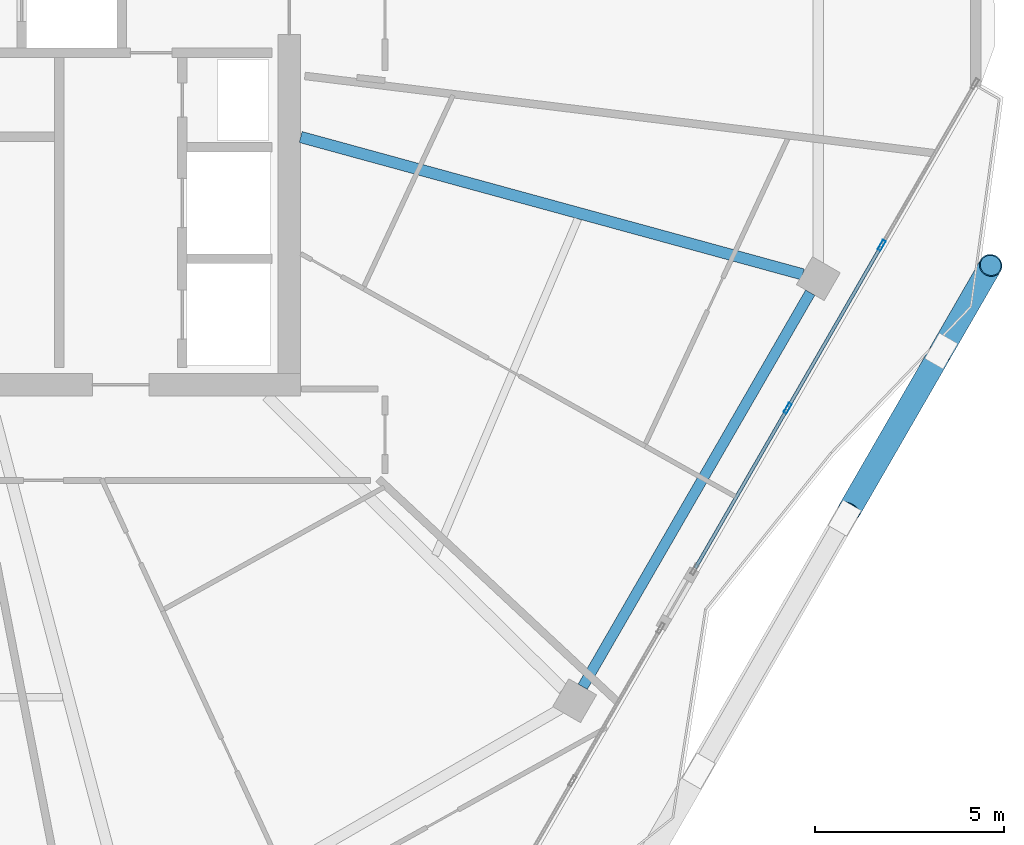
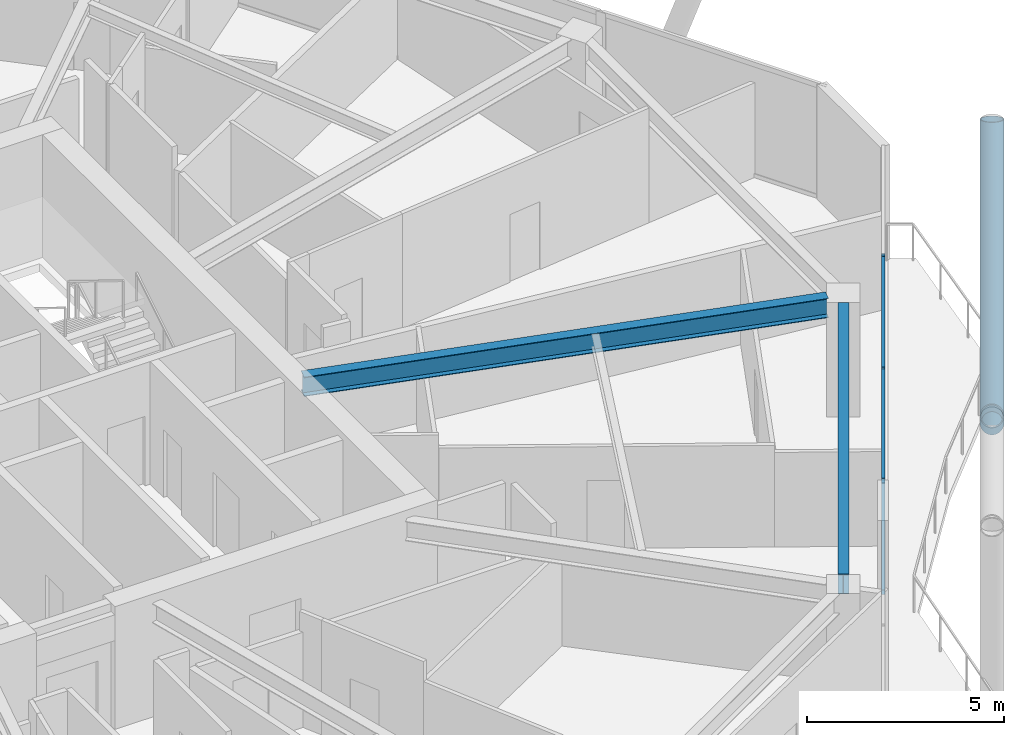
# One storey, part 10 of 29: 8 members, 2 beams, 1 element without a shape of its own.
"""IFC4 building model written with IfcOpenShell, lengths in metres."""

from ifc_helpers import new_model, si_unit, direction, frame, origin, origin_2d, place, context, subcontext, project, spatial, hollow_rectangle, hollow_circle, i_section, extrude, material, material_profile, profile_set, type_object, element, aggregate, save


model = new_model("IFC4")

# Units and contexts
model_context = context("Model", 3, precision=1e-05, world=origin(), true_north=direction((0.0, 1.0)))
body_context = subcontext(model_context, "Body", "Model", "MODEL_VIEW")
ifc_project = project(units=[si_unit("LENGTHUNIT", "METRE"), si_unit("AREAUNIT", "SQUARE_METRE"), si_unit("VOLUMEUNIT", "CUBIC_METRE"), si_unit("PLANEANGLEUNIT", "RADIAN"), si_unit("MASSUNIT", "GRAM", prefix="KILO")], contexts=[model_context])

# Site, building, storey
site_placement = place(None, origin())
site = spatial("IfcSite", under=ifc_project, at=site_placement, CompositionType="ELEMENT")
building_placement = place(site_placement, origin())
building = spatial("IfcBuilding", under=site, at=building_placement, Name="Zuhravey Tower", CompositionType="ELEMENT")
storey_placement = place(building_placement, frame((0.0, 0.0, 269.199951171875)))
storey = spatial("IfcBuildingStorey", under=building, at=storey_placement, Name="L68", CompositionType="ELEMENT", Elevation=269.199951171875)

# Curtain wall, members
ifc_material_1 = material(Name="Thermally broken anodised aluminium", Category="aluminium")
curtain_wall_type = type_object("IfcCurtainWallType", Name="Zone 3-4 High-Rise Curtain Wall CW4", PredefinedType="NOTDEFINED", material=ifc_material_1)
curtain_wall_placement = place(storey_placement, origin())
curtain_wall = element("IfcCurtainWall", 1, at=curtain_wall_placement, inside=storey, type_object=curtain_wall_type, Name="L68 CW4 CW-L68-F6-1", PredefinedType="NOTDEFINED")
ifc_material_2 = material(Name="Anodised aluminium", Category="aluminium")
ifc_material_profile_1 = material_profile(ifc_material_2, hollow_rectangle(XDim=0.090087890625, YDim=0.284912109375, WallThickness=0.0048828125, at=origin_2d()), Name="ALU-RHS-90x285x5")
ifc_profile_set_1 = profile_set([ifc_material_profile_1], Name="Anodised aluminium")
member_type_1 = type_object("IfcMemberType", Name="Curtain-Wall Mullion 90x180", PredefinedType="MULLION", material=ifc_profile_set_1)
member_1_placement = place(storey_placement, frame((62.159912109375, 26.18310546875, 0.0), z_axis=(0.0, 0.0, 1.0), x_axis=(0.866026101514, -0.499998791495, 0.0)))
member_1 = element("IfcMember", 2, at=member_1_placement, type_object=member_type_1, Name="CW4 mullion 2", PredefinedType="MULLION", context=body_context, shape_type="SweptSolid", body=[
    extrude(hollow_rectangle(XDim=0.090087890625, YDim=0.284912109375, WallThickness=0.0048828125, at=origin_2d()), origin(), (0.0, 0.0, 1.0), 3.550048828125),
])
member_2_placement = place(storey_placement, frame((59.6748046875, 21.87890625, 0.0), z_axis=(0.0, 0.0, 1.0), x_axis=(0.866026101514, -0.499998791495, 0.0)))
member_2 = element("IfcMember", 3, at=member_2_placement, type_object=member_type_1, Name="CW4 mullion 3", PredefinedType="MULLION", context=body_context, shape_type="SweptSolid", body=[
    extrude(hollow_rectangle(XDim=0.090087890625, YDim=0.284912109375, WallThickness=0.0048828125, at=origin_2d()), origin(), (0.0, 0.0, 1.0), 3.550048828125),
])
ifc_material_profile_2 = material_profile(ifc_material_2, hollow_rectangle(XDim=0.090087890625, YDim=0.14990234375, WallThickness=0.0048828125, at=origin_2d()), Name="ALU-RHS-90x150x5")
ifc_profile_set_2 = profile_set([ifc_material_profile_2], Name="Anodised aluminium")
member_type_2 = type_object("IfcMemberType", Name="Curtain-Wall Transom 90x150", PredefinedType="USERDEFINED", material=ifc_profile_set_2)
member_3_placement = place(storey_placement, frame((62.137451171875, 26.144287109375, 0.045166015625), z_axis=(-0.499959183527, -0.866048967903, 0.0), x_axis=(0.866048967903, -0.499959183527, 0.0)))
member_3 = element("IfcMember", 4, at=member_3_placement, type_object=member_type_2, Name="CW4 transom 2.1", ObjectType="TRANSOM", PredefinedType="USERDEFINED", context=body_context, shape_type="SweptSolid", body=[
    extrude(hollow_rectangle(XDim=0.090087890625, YDim=0.14990234375, WallThickness=0.0048828125, at=origin_2d()), origin(), (0.0, 0.0, 1.0), 4.88037109375),
])
member_4_placement = place(storey_placement, frame((62.137451171875, 26.144287109375, 3.505126953125), z_axis=(-0.499959183527, -0.866048967903, 0.0), x_axis=(0.866048967903, -0.499959183527, 0.0)))
member_4 = element("IfcMember", 5, at=member_4_placement, type_object=member_type_2, Name="CW4 transom 2.2", ObjectType="TRANSOM", PredefinedType="USERDEFINED", context=body_context, shape_type="SweptSolid", body=[
    extrude(hollow_rectangle(XDim=0.090087890625, YDim=0.14990234375, WallThickness=0.0048828125, at=origin_2d()), origin(), (0.0, 0.0, 1.0), 4.88037109375),
])
member_5_placement = place(storey_placement, frame((59.65234375, 21.83984375, 0.045166015625), z_axis=(-0.499973043887, -0.866040966344, 0.0), x_axis=(0.866040966344, -0.499973043887, 0.0)))
member_5 = element("IfcMember", 6, at=member_5_placement, type_object=member_type_2, Name="CW4 transom 3.1", ObjectType="TRANSOM", PredefinedType="USERDEFINED", context=body_context, shape_type="SweptSolid", body=[
    extrude(hollow_rectangle(XDim=0.090087890625, YDim=0.14990234375, WallThickness=0.0048828125, at=origin_2d()), origin(), (0.0, 0.0, 1.0), 4.835205078125),
])
member_6_placement = place(storey_placement, frame((59.65234375, 21.83984375, 3.505126953125), z_axis=(-0.499973043887, -0.866040966344, 0.0), x_axis=(0.866040966344, -0.499973043887, 0.0)))
member_6 = element("IfcMember", 7, at=member_6_placement, type_object=member_type_2, Name="CW4 transom 3.2", ObjectType="TRANSOM", PredefinedType="USERDEFINED", context=body_context, shape_type="SweptSolid", body=[
    extrude(hollow_rectangle(XDim=0.090087890625, YDim=0.14990234375, WallThickness=0.0048828125, at=origin_2d()), origin(), (0.0, 0.0, 1.0), 4.835205078125),
])
aggregate(curtain_wall, [member_1, member_2, member_3, member_4, member_5, member_6])

# Members
ifc_material_3 = material(Name="Steel SM355", Category="steel")
ifc_material_profile_3 = material_profile(ifc_material_3, hollow_circle(Radius=0.3046875, WallThickness=0.028076171875, at=origin_2d()), Name="CHS-609.6x28")
ifc_profile_set_3 = profile_set([ifc_material_profile_3], Name="Steel SM355")
member_type_3 = type_object("IfcMemberType", Name="Exoskeleton Zone 3 Diagrid CHS610x28", PredefinedType="BRACE", material=ifc_profile_set_3)
member_7_placement = place(storey_placement, frame((63.73583984375, 23.392822265625, -0.446044921875), z_axis=(0.163025919799, 0.282358574176, 0.945355057671), x_axis=(-0.866017274468, 0.500014080125, 0.0)))
element("IfcMember", 8, at=member_7_placement, inside=storey, type_object=member_type_3, Name="L68 Face 6 Diagrid Brace 4", PredefinedType="BRACE", context=body_context, shape_type="SweptSolid", body=[
    extrude(hollow_circle(Radius=0.3046875, WallThickness=0.028076171875, at=origin_2d()), origin(), (0.0, 0.0, 1.0), 8.00146484375),
])
member_8_placement = place(storey_placement, frame((63.716552734375, 23.359130859375, -0.439697265625), z_axis=(-0.400881411374, -0.694285413611, 0.597713860021), x_axis=(0.866006207073, -0.500033248206, 0.0)))
element("IfcMember", 9, at=member_8_placement, inside=storey, type_object=member_type_3, Name="L68 Face 6 Split Diagrid Brace 3A", PredefinedType="BRACE", context=body_context, shape_type="SweptSolid", body=[
    extrude(hollow_circle(Radius=0.3046875, WallThickness=0.028076171875, at=origin_2d()), origin(), (0.0, 0.0, 1.0), 6.02197265625),
])

# Beams
ifc_material_profile_4 = material_profile(ifc_material_3, i_section(OverallWidth=0.280029296875, OverallDepth=0.6201171875, WebThickness=0.011962890625, FlangeThickness=0.02001953125, at=origin_2d()), Name="H-620x280x12x20")
ifc_profile_set_4 = profile_set([ifc_material_profile_4], Name="Steel SM355")
beam_type_1 = type_object("IfcBeamType", Name="Perimeter Ring Beam H620x280", PredefinedType="BEAM", material=ifc_profile_set_4)
beam_1_placement = place(storey_placement, frame((54.257568359375, 14.515869140625, 3.239990234375), z_axis=(0.500005971936, 0.866021955858, 0.0), x_axis=(-0.866021955858, 0.500005971936, 0.0)))
element("IfcBeam", 10, at=beam_1_placement, inside=storey, type_object=beam_type_1, Name="L68 PB3 BM-L68-PB-11", PredefinedType="BEAM", context=body_context, shape_type="SweptSolid", body=[
    extrude(i_section(OverallWidth=0.280029296875, OverallDepth=0.6201171875, WebThickness=0.011962890625, FlangeThickness=0.02001953125, at=origin_2d()), origin(), (0.0, 0.0, 1.0), 12.025634765625),
])
ifc_material_profile_5 = material_profile(ifc_material_3, i_section(OverallWidth=0.300048828125, OverallDepth=0.60009765625, WebThickness=0.011962890625, FlangeThickness=0.02001953125, at=origin_2d()), Name="H-600x300x12x20")
ifc_profile_set_5 = profile_set([ifc_material_profile_5], Name="Steel SM355")
beam_type_2 = type_object("IfcBeamType", Name="Radial Primary Girder H600x300", PredefinedType="BEAM", material=ifc_profile_set_5)
beam_2_placement = place(storey_placement, frame((46.802978515625, 29.04443359375, 3.25), z_axis=(0.964549305009, -0.263902705947, 0.0), x_axis=(0.263902705947, 0.964549305009, 0.0)))
element("IfcBeam", 11, at=beam_2_placement, inside=storey, type_object=beam_type_2, Name="L68 RG3 BM-L68-RAD-12", PredefinedType="BEAM", context=body_context, shape_type="SweptSolid", body=[
    extrude(i_section(OverallWidth=0.300048828125, OverallDepth=0.60009765625, WebThickness=0.011962890625, FlangeThickness=0.02001953125, at=origin_2d()), origin(), (0.0, 0.0, 1.0), 13.756591796875),
])

save(model, "model.ifc")
